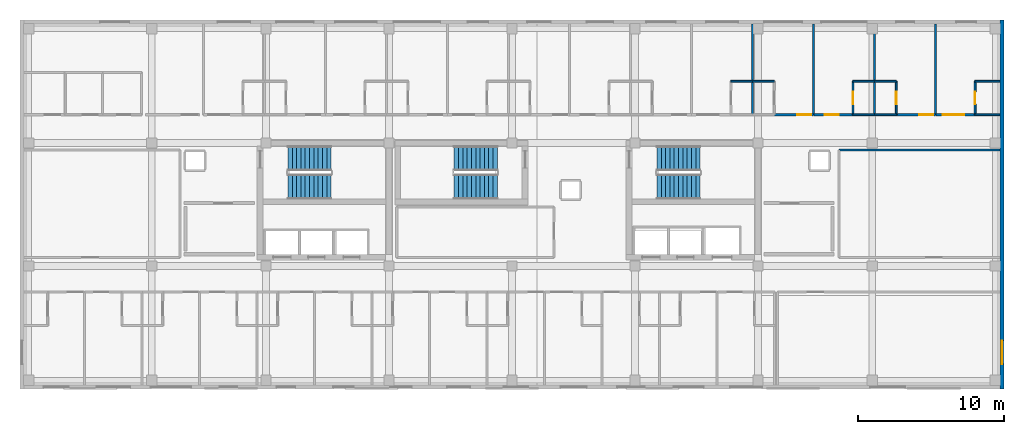
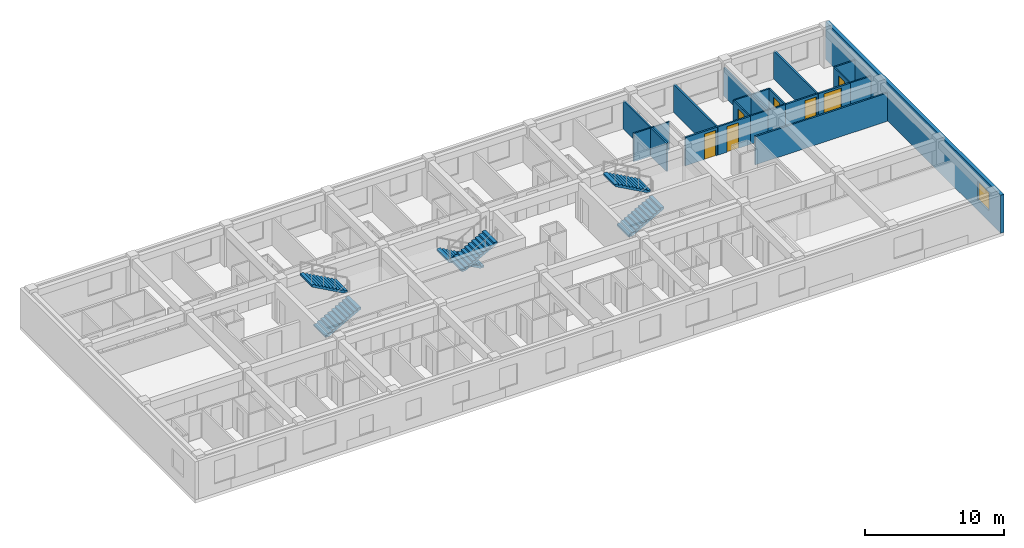
# One storey, part 8 of 10: 21 walls, 7 doors, 6 stair flights, 1 window, 8 openings, 3 elements without a shape of their own.
"""IFC4 building model written with IfcOpenShell, lengths in metres."""

from ifc_helpers import new_model, si_unit, direction, frame, frame_2d, origin, place, context, subcontext, project, spatial, polyline, rectangle, outline, extrude, material, layer, layer_set, type_object, element, fill, aggregate, save


model = new_model("IFC4")

# Units and contexts
model_context = context("Model", 3, precision=1e-05, world=origin(), true_north=direction((0.0, 1.0)))
body_context = subcontext(model_context, "Body", "Model", "MODEL_VIEW")
ifc_project = project(units=[si_unit("LENGTHUNIT", "METRE"), si_unit("AREAUNIT", "SQUARE_METRE"), si_unit("VOLUMEUNIT", "CUBIC_METRE"), si_unit("PLANEANGLEUNIT", "RADIAN"), si_unit("MASSUNIT", "GRAM", prefix="KILO")], contexts=[model_context])

# Site, building, storey
site_placement = place(None, origin())
site = spatial("IfcSite", under=ifc_project, at=site_placement, CompositionType="ELEMENT")
building_placement = place(site_placement, origin())
building = spatial("IfcBuilding", under=site, at=building_placement, Name="Zayran Congress Hotel", CompositionType="ELEMENT")
storey_placement = place(building_placement, frame((0.0, 0.0, 30.0)))
storey = spatial("IfcBuildingStorey", under=building, at=storey_placement, Name="L07", CompositionType="ELEMENT", Elevation=30.0)

# Wall, opening, window
ifc_material_1 = material(Name="Hajar Ma'ani limestone cavity wall and concrete C32/40", Category="masonry")
ifc_layer_1 = layer(ifc_material_1, 0.280029296875)
ifc_layer_set_1 = layer_set([ifc_layer_1], Name="Hajar Ma'ani limestone cavity wall and concrete C32/40")
wall_type_1 = type_object("IfcWallType", Name="WL-EX-280", PredefinedType="SOLIDWALL", material=ifc_layer_set_1)
wall_1_placement = place(storey_placement, frame((75.4599609375, 34.0, 0.0), z_axis=(0.0, 0.0, 1.0), x_axis=(0.0, -1.0, 0.0)))
wall_1 = element("IfcWall", 1, at=wall_1_placement, inside=storey, type_object=wall_type_1, Name="EW-V5-E-L07", PredefinedType="SOLIDWALL", context=body_context, shape_type="SweptSolid", body=[
    extrude(rectangle(XDim=25.199951171875, YDim=0.280029296875, at=frame_2d((12.60009765625, 0.0))), origin(), (0.0, 0.0, 1.0), 3.340087890625),
])
opening_1_placement = place(wall_1_placement, frame((21.89990234375, 0.0, 0.949951171875)))
opening_1 = element("IfcOpeningElement", 2, at=opening_1_placement, cuts=wall_1, Name="Opening WN-15", PredefinedType="OPENING", context=body_context, shape_type="SweptSolid", body=[
    extrude(rectangle(XDim=1.60009765625, YDim=1.60009765625, at=frame_2d((0.800048828125, 0.800048828125))), frame((0.0, 0.14990234375, 0.0), z_axis=(0.0, -1.0, 0.0), x_axis=(1.0, 0.0, 0.0)), (0.0, 0.0, 1.0), 0.300048828125),
])
ifc_material_2 = material(Name="Anodised aluminium and low-E insulated glass", Category="aluminium")
window_type = type_object("IfcWindowType", Name="TP-WN-15", PartitioningType="SINGLE_PANEL", PredefinedType="WINDOW", material=ifc_material_2)
window_placement = place(opening_1_placement, origin())
window = element("IfcWindow", 3, at=window_placement, inside=storey, type_object=window_type, Name="WIN-V5E-L07", OverallHeight=1.60009765625, OverallWidth=1.60009765625, PartitioningType="SINGLE_PANEL", PredefinedType="WINDOW", context=body_context, shape_type="SweptSolid", body=[
    extrude(rectangle(XDim=1.60009765625, YDim=1.60009765625, at=frame_2d((0.800048828125, 0.800048828125))), frame((0.0, 0.030029296875, 0.0), z_axis=(0.0, -1.0, 0.0), x_axis=(1.0, 0.0, 0.0)), (0.0, 0.0, 1.0), 0.06005859375),
])
fill(opening_1, window)

# Wall, opening, door
ifc_material_3 = material(Name="Hospitality guestroom acoustic partition", Category="gypsum")
ifc_layer_2 = layer(ifc_material_3, 0.139892578125)
ifc_layer_set_2 = layer_set([ifc_layer_2], Name="Hospitality guestroom acoustic partition")
wall_type_2 = type_object("IfcWallType", Name="WL-PT-140", PredefinedType="PARTITIONING", material=ifc_layer_set_2)
wall_2_placement = place(storey_placement, frame((59.904052734375, 27.530029296875, 0.0), z_axis=(0.0, 0.0, 1.0), x_axis=(1.0, 0.0, 0.0)))
wall_2 = element("IfcWall", 4, at=wall_2_placement, inside=storey, type_object=wall_type_2, Name="IW-L07-0750", PredefinedType="PARTITIONING", context=body_context, shape_type="SweptSolid", body=[
    extrude(rectangle(XDim=2.68505859375, YDim=0.139892578125, at=frame_2d((1.342529296875, 0.0))), origin(), (0.0, 0.0, 1.0), 2.47998046875),
])
opening_2_placement = place(wall_2_placement, frame((1.5849609375, 0.0, 0.0)))
opening_2 = element("IfcOpeningElement", 5, at=opening_2_placement, cuts=wall_2, Name="Opening DR-GR-03", PredefinedType="OPENING", context=body_context, shape_type="SweptSolid", body=[
    extrude(rectangle(XDim=0.9599609375, YDim=2.25, at=frame_2d((0.47998046875, 1.125))), frame((0.0, 0.079833984375, 0.0), z_axis=(0.0, -1.0, 0.0), x_axis=(1.0, 0.0, 0.0)), (0.0, 0.0, 1.0), 0.159912109375),
])
ifc_material_4 = material(Name="Executive walnut veneer entry door", Category="wood")
door_type_1 = type_object("IfcDoorType", Name="TP-DR-GR-03", OperationType="NOTDEFINED", PredefinedType="DOOR", material=ifc_material_4)
door_1_placement = place(opening_2_placement, origin())
door_1 = element("IfcDoor", 6, at=door_1_placement, inside=storey, type_object=door_type_1, Name="Guest Room L07-23 Door", OperationType="SINGLE_SWING_LEFT", OverallHeight=2.25, OverallWidth=0.9599609375, PredefinedType="DOOR", context=body_context, shape_type="SweptSolid", body=[
    extrude(rectangle(XDim=0.9599609375, YDim=2.25, at=frame_2d((0.47998046875, 1.125))), frame((0.0, 0.02490234375, 0.0), z_axis=(0.0, -1.0, 0.0), x_axis=(1.0, 0.0, 0.0)), (0.0, 0.0, 1.0), 0.050048828125),
])
fill(opening_2, door_1)

wall_3_placement = place(storey_placement, frame((62.60888671875, 27.530029296875, 0.0), z_axis=(0.0, 0.0, 1.0), x_axis=(1.0, 0.0, 0.0)))
wall_3 = element("IfcWall", 7, at=wall_3_placement, inside=storey, type_object=wall_type_2, Name="IW-L07-0751", PredefinedType="PARTITIONING", context=body_context, shape_type="SweptSolid", body=[
    extrude(rectangle(XDim=2.68505859375, YDim=0.139892578125, at=frame_2d((1.342529296875, 0.0))), origin(), (0.0, 0.0, 1.0), 2.47998046875),
])
opening_3_placement = place(wall_3_placement, frame((0.759033203125, 0.0, 0.0)))
opening_3 = element("IfcOpeningElement", 8, at=opening_3_placement, cuts=wall_3, Name="Opening DR-GR-03", PredefinedType="OPENING", context=body_context, shape_type="SweptSolid", body=[
    extrude(rectangle(XDim=0.9599609375, YDim=2.25, at=frame_2d((0.47998046875, 1.125))), frame((0.0, 0.079833984375, 0.0), z_axis=(0.0, -1.0, 0.0), x_axis=(1.0, 0.0, 0.0)), (0.0, 0.0, 1.0), 0.159912109375),
])
door_2_placement = place(opening_3_placement, origin())
door_2 = element("IfcDoor", 9, at=door_2_placement, inside=storey, type_object=door_type_1, Name="Guest Room L07-24 Door", OperationType="SINGLE_SWING_RIGHT", OverallHeight=2.25, OverallWidth=0.9599609375, PredefinedType="DOOR", context=body_context, shape_type="SweptSolid", body=[
    extrude(rectangle(XDim=0.9599609375, YDim=2.25, at=frame_2d((0.47998046875, 1.125))), frame((0.0, 0.02490234375, 0.0), z_axis=(0.0, -1.0, 0.0), x_axis=(1.0, 0.0, 0.0)), (0.0, 0.0, 1.0), 0.050048828125),
])
fill(opening_3, door_2)

wall_4_placement = place(storey_placement, frame((68.238037109375, 27.530029296875, 0.0), z_axis=(0.0, 0.0, 1.0), x_axis=(1.0, 0.0, 0.0)))
wall_4 = element("IfcWall", 10, at=wall_4_placement, inside=storey, type_object=wall_type_2, Name="IW-L07-0752", PredefinedType="PARTITIONING", context=body_context, shape_type="SweptSolid", body=[
    extrude(rectangle(XDim=2.68505859375, YDim=0.139892578125, at=frame_2d((1.342529296875, 0.0))), origin(), (0.0, 0.0, 1.0), 2.47998046875),
])
opening_4_placement = place(wall_4_placement, frame((1.5849609375, 0.0, 0.0)))
opening_4 = element("IfcOpeningElement", 11, at=opening_4_placement, cuts=wall_4, Name="Opening DR-GR-03", PredefinedType="OPENING", context=body_context, shape_type="SweptSolid", body=[
    extrude(rectangle(XDim=0.9599609375, YDim=2.25, at=frame_2d((0.47998046875, 1.125))), frame((0.0, 0.079833984375, 0.0), z_axis=(0.0, -1.0, 0.0), x_axis=(1.0, 0.0, 0.0)), (0.0, 0.0, 1.0), 0.159912109375),
])
door_3_placement = place(opening_4_placement, origin())
door_3 = element("IfcDoor", 12, at=door_3_placement, inside=storey, type_object=door_type_1, Name="Guest Room L07-25 Door", OperationType="SINGLE_SWING_LEFT", OverallHeight=2.25, OverallWidth=0.9599609375, PredefinedType="DOOR", context=body_context, shape_type="SweptSolid", body=[
    extrude(rectangle(XDim=0.9599609375, YDim=2.25, at=frame_2d((0.47998046875, 1.125))), frame((0.0, 0.02490234375, 0.0), z_axis=(0.0, -1.0, 0.0), x_axis=(1.0, 0.0, 0.0)), (0.0, 0.0, 1.0), 0.050048828125),
])
fill(opening_4, door_3)

wall_5_placement = place(storey_placement, frame((70.943115234375, 27.530029296875, 0.0), z_axis=(0.0, 0.0, 1.0), x_axis=(1.0, 0.0, 0.0)))
wall_5 = element("IfcWall", 13, at=wall_5_placement, inside=storey, type_object=wall_type_2, Name="IW-L07-0753", PredefinedType="PARTITIONING", context=body_context, shape_type="SweptSolid", body=[
    extrude(rectangle(XDim=2.684814453125, YDim=0.139892578125, at=frame_2d((1.34228515625, 0.0))), origin(), (0.0, 0.0, 1.0), 2.47998046875),
])
opening_5_placement = place(wall_5_placement, frame((0.48095703125, 0.0, 0.0)))
opening_5 = element("IfcOpeningElement", 14, at=opening_5_placement, cuts=wall_5, Name="Opening DR-ST-01", PredefinedType="OPENING", context=body_context, shape_type="SweptSolid", body=[
    extrude(rectangle(XDim=1.449951171875, YDim=2.300048828125, at=frame_2d((0.72509765625, 1.14990234375))), frame((0.0, 0.079833984375, 0.0), z_axis=(0.0, -1.0, 0.0), x_axis=(1.0, 0.0, 0.0)), (0.0, 0.0, 1.0), 0.159912109375),
])
ifc_material_5 = material(Name="Double walnut veneer suite entry door", Category="wood")
door_type_2 = type_object("IfcDoorType", Name="TP-DR-ST-01", OperationType="DOUBLE_DOOR_SINGLE_SWING", PredefinedType="DOOR", material=ifc_material_5)
door_4_placement = place(opening_5_placement, origin())
door_4 = element("IfcDoor", 15, at=door_4_placement, inside=storey, type_object=door_type_2, Name="Executive Suite L07-26 Door", OperationType="DOUBLE_DOOR_SINGLE_SWING", OverallHeight=2.300048828125, OverallWidth=1.449951171875, PredefinedType="DOOR", context=body_context, shape_type="SweptSolid", body=[
    extrude(rectangle(XDim=1.449951171875, YDim=2.300048828125, at=frame_2d((0.72509765625, 1.14990234375))), frame((0.0, 0.02490234375, 0.0), z_axis=(0.0, -1.0, 0.0), x_axis=(1.0, 0.0, 0.0)), (0.0, 0.0, 1.0), 0.050048828125),
])
fill(opening_5, door_4)

# Walls
wall_6_placement = place(storey_placement, frame((64.320068359375, 25.1201171875, 0.0), z_axis=(0.0, 0.0, 1.0), x_axis=(1.0, 0.0, 0.0)))
element("IfcWall", 16, at=wall_6_placement, inside=storey, type_object=wall_type_2, Name="IW-L07-2056", PredefinedType="PARTITIONING", context=body_context, shape_type="SweptSolid", body=[
    extrude(rectangle(XDim=11.0, YDim=0.139892578125, at=frame_2d((5.5, 0.0))), origin(), (0.0, 0.0, 1.0), 2.47998046875),
])
for number, where, z_axis, x_axis, name in (
    (17, (58.422119140625, 27.52001953125, 0.0), (0.0, 0.0, 1.0), (0.0, 1.0, 0.0), "IW-L07-2082"),
    (18, (62.589111328125, 27.52001953125, 0.0), (0.0, 0.0, 1.0), (0.0, 1.0, 0.0), "IW-L07-2083"),
    (19, (66.756103515625, 27.52001953125, 0.0), (0.0, 0.0, 1.0), (0.0, 1.0, 0.0), "IW-L07-2084"),
    (20, (70.923095703125, 27.52001953125, 0.0), (0.0, 0.0, 1.0), (0.0, 1.0, 0.0), "IW-L07-2085"),
):
    element("IfcWall", number, at=place(storey_placement, frame(where, z_axis=z_axis, x_axis=x_axis)), inside=storey, type_object=wall_type_2, Name=name, PredefinedType="PARTITIONING", context=body_context, shape_type="SweptSolid", body=[
        extrude(rectangle(XDim=6.199951171875, YDim=0.139892578125, at=frame_2d((3.10009765625, 0.0))), origin(), (0.0, 0.0, 1.0), 2.47998046875),
    ])

# Wall, opening, door
ifc_material_6 = material(Name="Moisture-resistant bathroom partition", Category="gypsum")
ifc_layer_3 = layer(ifc_material_6, 0.1201171875)
ifc_layer_set_3 = layer_set([ifc_layer_3], Name="Moisture-resistant bathroom partition")
wall_type_3 = type_object("IfcWallType", Name="WL-PT-120", PredefinedType="PARTITIONING", material=ifc_layer_set_3)
wall_7_placement = place(storey_placement, frame((65.2939453125, 27.52001953125, 0.0), z_axis=(0.0, 0.0, 1.0), x_axis=(0.0, 1.0, 0.0)))
wall_7 = element("IfcWall", 21, at=wall_7_placement, inside=storey, type_object=wall_type_3, Name="IW-L07-0242", PredefinedType="PARTITIONING", context=body_context, shape_type="SweptSolid", body=[
    extrude(rectangle(XDim=2.31005859375, YDim=0.1201171875, at=frame_2d((1.155029296875, 0.0))), origin(), (0.0, 0.0, 1.0), 2.47998046875),
])
opening_6_placement = place(wall_7_placement, frame((0.715087890625, 0.0, 0.0)))
opening_6 = element("IfcOpeningElement", 22, at=opening_6_placement, cuts=wall_7, Name="Opening DR-BT-01", PredefinedType="OPENING", context=body_context, shape_type="SweptSolid", body=[
    extrude(rectangle(XDim=0.8798828125, YDim=2.14990234375, at=frame_2d((0.43994140625, 1.074951171875))), frame((0.0, 0.070068359375, 0.0), z_axis=(0.0, -1.0, 0.0), x_axis=(1.0, 0.0, 0.0)), (0.0, 0.0, 1.0), 0.14013671875),
])
ifc_material_7 = material(Name="Moisture-resistant oak en-suite door", Category="wood")
door_type_3 = type_object("IfcDoorType", Name="TP-DR-BT-01", OperationType="NOTDEFINED", PredefinedType="DOOR", material=ifc_material_7)
door_5_placement = place(opening_6_placement, origin())
door_5 = element("IfcDoor", 23, at=door_5_placement, inside=storey, type_object=door_type_3, Name="En-Suite Bathroom L07-24 Door", OperationType="SINGLE_SWING_LEFT", OverallHeight=2.14990234375, OverallWidth=0.8798828125, PredefinedType="DOOR", context=body_context, shape_type="SweptSolid", body=[
    extrude(rectangle(XDim=0.8798828125, YDim=2.14990234375, at=frame_2d((0.43994140625, 1.074951171875))), frame((0.0, 0.02490234375, 0.0), z_axis=(0.0, -1.0, 0.0), x_axis=(1.0, 0.0, 0.0)), (0.0, 0.0, 1.0), 0.050048828125),
])
fill(opening_6, door_5)

wall_8_placement = place(storey_placement, frame((68.238037109375, 27.52001953125, 0.0), z_axis=(0.0, 0.0, 1.0), x_axis=(0.0, 1.0, 0.0)))
wall_8 = element("IfcWall", 24, at=wall_8_placement, inside=storey, type_object=wall_type_3, Name="IW-L07-0243", PredefinedType="PARTITIONING", context=body_context, shape_type="SweptSolid", body=[
    extrude(rectangle(XDim=2.31005859375, YDim=0.1201171875, at=frame_2d((1.155029296875, 0.0))), origin(), (0.0, 0.0, 1.0), 2.47998046875),
])
opening_7_placement = place(wall_8_placement, frame((0.715087890625, 0.0, 0.0)))
opening_7 = element("IfcOpeningElement", 25, at=opening_7_placement, cuts=wall_8, Name="Opening DR-BT-01", PredefinedType="OPENING", context=body_context, shape_type="SweptSolid", body=[
    extrude(rectangle(XDim=0.8798828125, YDim=2.14990234375, at=frame_2d((0.43994140625, 1.074951171875))), frame((0.0, 0.070068359375, 0.0), z_axis=(0.0, -1.0, 0.0), x_axis=(1.0, 0.0, 0.0)), (0.0, 0.0, 1.0), 0.14013671875),
])
door_6_placement = place(opening_7_placement, origin())
door_6 = element("IfcDoor", 26, at=door_6_placement, inside=storey, type_object=door_type_3, Name="En-Suite Bathroom L07-25 Door", OperationType="SINGLE_SWING_RIGHT", OverallHeight=2.14990234375, OverallWidth=0.8798828125, PredefinedType="DOOR", context=body_context, shape_type="SweptSolid", body=[
    extrude(rectangle(XDim=0.8798828125, YDim=2.14990234375, at=frame_2d((0.43994140625, 1.074951171875))), frame((0.0, 0.02490234375, 0.0), z_axis=(0.0, -1.0, 0.0), x_axis=(1.0, 0.0, 0.0)), (0.0, 0.0, 1.0), 0.050048828125),
])
fill(opening_7, door_6)

wall_9_placement = place(storey_placement, frame((73.6279296875, 27.52001953125, 0.0), z_axis=(0.0, 0.0, 1.0), x_axis=(0.0, 1.0, 0.0)))
wall_9 = element("IfcWall", 27, at=wall_9_placement, inside=storey, type_object=wall_type_3, Name="IW-L07-0244", PredefinedType="PARTITIONING", context=body_context, shape_type="SweptSolid", body=[
    extrude(rectangle(XDim=2.31005859375, YDim=0.1201171875, at=frame_2d((1.155029296875, 0.0))), origin(), (0.0, 0.0, 1.0), 2.47998046875),
])
opening_8_placement = place(wall_9_placement, frame((0.715087890625, 0.0, 0.0)))
opening_8 = element("IfcOpeningElement", 28, at=opening_8_placement, cuts=wall_9, Name="Opening DR-BT-01", PredefinedType="OPENING", context=body_context, shape_type="SweptSolid", body=[
    extrude(rectangle(XDim=0.8798828125, YDim=2.14990234375, at=frame_2d((0.43994140625, 1.074951171875))), frame((0.0, 0.070068359375, 0.0), z_axis=(0.0, -1.0, 0.0), x_axis=(1.0, 0.0, 0.0)), (0.0, 0.0, 1.0), 0.14013671875),
])
door_7_placement = place(opening_8_placement, origin())
door_7 = element("IfcDoor", 29, at=door_7_placement, inside=storey, type_object=door_type_3, Name="En-Suite Bathroom L07-26 Door", OperationType="SINGLE_SWING_LEFT", OverallHeight=2.14990234375, OverallWidth=0.8798828125, PredefinedType="DOOR", context=body_context, shape_type="SweptSolid", body=[
    extrude(rectangle(XDim=0.8798828125, YDim=2.14990234375, at=frame_2d((0.43994140625, 1.074951171875))), frame((0.0, 0.02490234375, 0.0), z_axis=(0.0, -1.0, 0.0), x_axis=(1.0, 0.0, 0.0)), (0.0, 0.0, 1.0), 0.050048828125),
])
fill(opening_8, door_7)

# Walls
wall_10_placement = place(storey_placement, frame((56.949951171875, 29.820068359375, 0.0), z_axis=(0.0, 0.0, 1.0), x_axis=(1.0, 0.0, 0.0)))
element("IfcWall", 30, at=wall_10_placement, inside=storey, type_object=wall_type_3, Name="IW-L07-1348", PredefinedType="PARTITIONING", context=body_context, shape_type="SweptSolid", body=[
    extrude(rectangle(XDim=1.48193359375, YDim=0.1201171875, at=frame_2d((0.740966796875, 0.0))), origin(), (0.0, 0.0, 1.0), 2.47998046875),
])
for number, where, z_axis, x_axis, name in (
    (31, (58.431884765625, 29.820068359375, 0.0), (0.0, 0.0, 1.0), (1.0, 0.0, 0.0), "IW-L07-1350"),
    (32, (65.283935546875, 27.530029296875, 0.0), (0.0, 0.0, 1.0), (1.0, 0.0, 0.0), "IW-L07-1351"),
    (33, (65.283935546875, 29.820068359375, 0.0), (0.0, 0.0, 1.0), (1.0, 0.0, 0.0), "IW-L07-1352"),
):
    element("IfcWall", number, at=place(storey_placement, frame(where, z_axis=z_axis, x_axis=x_axis)), inside=storey, type_object=wall_type_3, Name=name, PredefinedType="PARTITIONING", context=body_context, shape_type="SweptSolid", body=[
        extrude(rectangle(XDim=1.482177734375, YDim=0.1201171875, at=frame_2d((0.7412109375, 0.0))), origin(), (0.0, 0.0, 1.0), 2.47998046875),
    ])
for number, where, z_axis, x_axis, name in (
    (34, (66.76611328125, 27.530029296875, 0.0), (0.0, 0.0, 1.0), (1.0, 0.0, 0.0), "IW-L07-1353"),
    (35, (66.76611328125, 29.820068359375, 0.0), (0.0, 0.0, 1.0), (1.0, 0.0, 0.0), "IW-L07-1354"),
):
    element("IfcWall", number, at=place(storey_placement, frame(where, z_axis=z_axis, x_axis=x_axis)), inside=storey, type_object=wall_type_3, Name=name, PredefinedType="PARTITIONING", context=body_context, shape_type="SweptSolid", body=[
        extrude(rectangle(XDim=1.48193359375, YDim=0.1201171875, at=frame_2d((0.740966796875, 0.0))), origin(), (0.0, 0.0, 1.0), 2.47998046875),
    ])
for number, where, z_axis, x_axis, name in (
    (36, (73.617919921875, 27.530029296875, 0.0), (0.0, 0.0, 1.0), (1.0, 0.0, 0.0), "IW-L07-1355"),
    (37, (73.617919921875, 29.820068359375, 0.0), (0.0, 0.0, 1.0), (1.0, 0.0, 0.0), "IW-L07-1356"),
):
    element("IfcWall", number, at=place(storey_placement, frame(where, z_axis=z_axis, x_axis=x_axis)), inside=storey, type_object=wall_type_3, Name=name, PredefinedType="PARTITIONING", context=body_context, shape_type="SweptSolid", body=[
        extrude(rectangle(XDim=1.7021484375, YDim=0.1201171875, at=frame_2d((0.85107421875, 0.0))), origin(), (0.0, 0.0, 1.0), 2.47998046875),
    ])

# Stair, stair flights
ifc_material_8 = material(Name="Concrete C32/40", Category="concrete")
stair_type = type_object("IfcStairType", Name="TP-STR-1700-36", PredefinedType="USERDEFINED", material=ifc_material_8)
stair_1_placement = place(storey_placement, origin())
stair_1 = element("IfcStair", 38, at=stair_1_placement, inside=storey, type_object=stair_type, Name="L07 ST-01", ObjectType="TWO_RETURN_STAIR", PredefinedType="USERDEFINED")
stair_flight_type = type_object("IfcStairFlightType", Name="TP-STF-1700-36", PredefinedType="STRAIGHT", material=ifc_material_8)
stair_flight_1_placement = place(storey_placement, frame((26.699951171875, 22.610107421875, 0.0), z_axis=(0.0, 0.0, 1.0), x_axis=(1.0, 0.0, 0.0)))
stair_flight_1 = element("IfcStairFlight", 39, at=stair_flight_1_placement, type_object=stair_flight_type, Name="ST-01 flight 1", NumberOfRisers=11, NumberOfTreads=10, PredefinedType="STRAIGHT", RiserHeight=0.1636363636363637, TreadLength=0.295, context=body_context, shape_type="SweptSolid", body=[
    extrude(outline(polyline([(0.0, 0.0), (0.0, 0.16357421875), (0.294921875, 0.16357421875), (0.294921875, 0.327392578125), (0.590087890625, 0.327392578125), (0.590087890625, 0.490966796875), (0.885009765625, 0.490966796875), (0.885009765625, 0.654541015625), (1.179931640625, 0.654541015625), (1.179931640625, 0.818115234375), (1.47509765625, 0.818115234375), (1.47509765625, 0.98193359375), (1.77001953125, 0.98193359375), (1.77001953125, 1.1455078125), (2.06494140625, 1.1455078125), (2.06494140625, 1.30908203125), (2.360107421875, 1.30908203125), (2.360107421875, 1.47265625), (2.655029296875, 1.47265625), (2.655029296875, 1.636474609375), (2.949951171875, 1.636474609375), (2.949951171875, 1.800048828125), (2.949951171875, 1.46484375), (0.30908203125, 0.0), (0.0, 0.0)])), frame((0.0, 0.85009765625, 0.0), z_axis=(0.0, -1.0, 0.0), x_axis=(1.0, 0.0, 0.0)), (0.0, 0.0, 1.0), 1.699951171875),
])
stair_flight_2_placement = place(storey_placement, frame((29.64990234375, 24.550048828125, 1.800048828125), z_axis=(0.0, 0.0, 1.0), x_axis=(-1.0, 0.0, 0.0)))
stair_flight_2 = element("IfcStairFlight", 40, at=stair_flight_2_placement, type_object=stair_flight_type, Name="ST-01 flight 2", NumberOfRisers=11, NumberOfTreads=10, PredefinedType="STRAIGHT", RiserHeight=0.1636363636363637, TreadLength=0.295, context=body_context, shape_type="SweptSolid", body=[
    extrude(outline(polyline([(0.0, 0.0), (0.0, 0.16357421875), (0.294921875, 0.16357421875), (0.294921875, 0.327392578125), (0.590087890625, 0.327392578125), (0.590087890625, 0.490966796875), (0.885009765625, 0.490966796875), (0.885009765625, 0.654541015625), (1.179931640625, 0.654541015625), (1.179931640625, 0.818115234375), (1.47509765625, 0.818115234375), (1.47509765625, 0.98193359375), (1.77001953125, 0.98193359375), (1.77001953125, 1.1455078125), (2.06494140625, 1.1455078125), (2.06494140625, 1.30908203125), (2.360107421875, 1.30908203125), (2.360107421875, 1.47265625), (2.655029296875, 1.47265625), (2.655029296875, 1.636474609375), (2.949951171875, 1.636474609375), (2.949951171875, 1.800048828125), (2.949951171875, 1.46484375), (0.30908203125, 0.0), (0.0, 0.0)])), frame((0.0, 0.85009765625, 0.0), z_axis=(0.0, -1.0, 0.0), x_axis=(1.0, 0.0, 0.0)), (0.0, 0.0, 1.0), 1.699951171875),
])
aggregate(stair_1, [stair_flight_1, stair_flight_2])

stair_2_placement = place(storey_placement, origin())
stair_2 = element("IfcStair", 41, at=stair_2_placement, inside=storey, type_object=stair_type, Name="L07 ST-02", ObjectType="TWO_RETURN_STAIR", PredefinedType="USERDEFINED")
stair_flight_3_placement = place(storey_placement, frame((51.89990234375, 22.610107421875, 0.0), z_axis=(0.0, 0.0, 1.0), x_axis=(1.0, 0.0, 0.0)))
stair_flight_3 = element("IfcStairFlight", 42, at=stair_flight_3_placement, type_object=stair_flight_type, Name="ST-02 flight 1", NumberOfRisers=11, NumberOfTreads=10, PredefinedType="STRAIGHT", RiserHeight=0.1636363636363637, TreadLength=0.295, context=body_context, shape_type="SweptSolid", body=[
    extrude(outline(polyline([(0.0, 0.0), (0.0, 0.16357421875), (0.294921875, 0.16357421875), (0.294921875, 0.327392578125), (0.590087890625, 0.327392578125), (0.590087890625, 0.490966796875), (0.885009765625, 0.490966796875), (0.885009765625, 0.654541015625), (1.179931640625, 0.654541015625), (1.179931640625, 0.818115234375), (1.47509765625, 0.818115234375), (1.47509765625, 0.98193359375), (1.77001953125, 0.98193359375), (1.77001953125, 1.1455078125), (2.06494140625, 1.1455078125), (2.06494140625, 1.30908203125), (2.360107421875, 1.30908203125), (2.360107421875, 1.47265625), (2.655029296875, 1.47265625), (2.655029296875, 1.636474609375), (2.949951171875, 1.636474609375), (2.949951171875, 1.800048828125), (2.949951171875, 1.46484375), (0.30908203125, 0.0), (0.0, 0.0)])), frame((0.0, 0.85009765625, 0.0), z_axis=(0.0, -1.0, 0.0), x_axis=(1.0, 0.0, 0.0)), (0.0, 0.0, 1.0), 1.699951171875),
])
stair_flight_4_placement = place(storey_placement, frame((54.85009765625, 24.550048828125, 1.800048828125), z_axis=(0.0, 0.0, 1.0), x_axis=(-1.0, 0.0, 0.0)))
stair_flight_4 = element("IfcStairFlight", 43, at=stair_flight_4_placement, type_object=stair_flight_type, Name="ST-02 flight 2", NumberOfRisers=11, NumberOfTreads=10, PredefinedType="STRAIGHT", RiserHeight=0.1636363636363637, TreadLength=0.295, context=body_context, shape_type="SweptSolid", body=[
    extrude(outline(polyline([(0.0, 0.0), (0.0, 0.16357421875), (0.294921875, 0.16357421875), (0.294921875, 0.327392578125), (0.590087890625, 0.327392578125), (0.590087890625, 0.490966796875), (0.885009765625, 0.490966796875), (0.885009765625, 0.654541015625), (1.179931640625, 0.654541015625), (1.179931640625, 0.818115234375), (1.47509765625, 0.818115234375), (1.47509765625, 0.98193359375), (1.77001953125, 0.98193359375), (1.77001953125, 1.1455078125), (2.06494140625, 1.1455078125), (2.06494140625, 1.30908203125), (2.360107421875, 1.30908203125), (2.360107421875, 1.47265625), (2.655029296875, 1.47265625), (2.655029296875, 1.636474609375), (2.949951171875, 1.636474609375), (2.949951171875, 1.800048828125), (2.949951171875, 1.46484375), (0.30908203125, 0.0), (0.0, 0.0)])), frame((0.0, 0.85009765625, 0.0), z_axis=(0.0, -1.0, 0.0), x_axis=(1.0, 0.0, 0.0)), (0.0, 0.0, 1.0), 1.699951171875),
])
aggregate(stair_2, [stair_flight_3, stair_flight_4])

stair_3_placement = place(storey_placement, origin())
stair_3 = element("IfcStair", 44, at=stair_3_placement, inside=storey, type_object=stair_type, Name="L07 ST-13", ObjectType="TWO_RETURN_STAIR", PredefinedType="USERDEFINED")
stair_flight_5_placement = place(storey_placement, frame((41.0, 24.550048828125, 0.0), z_axis=(0.0, 0.0, 1.0), x_axis=(-1.0, 0.0, 0.0)))
stair_flight_5 = element("IfcStairFlight", 45, at=stair_flight_5_placement, type_object=stair_flight_type, Name="ST-13 flight 1", NumberOfRisers=11, NumberOfTreads=10, PredefinedType="STRAIGHT", RiserHeight=0.1636363636363637, TreadLength=0.295, context=body_context, shape_type="SweptSolid", body=[
    extrude(outline(polyline([(0.0, 0.0), (0.0, 0.16357421875), (0.294921875, 0.16357421875), (0.294921875, 0.327392578125), (0.590087890625, 0.327392578125), (0.590087890625, 0.490966796875), (0.885009765625, 0.490966796875), (0.885009765625, 0.654541015625), (1.179931640625, 0.654541015625), (1.179931640625, 0.818115234375), (1.47509765625, 0.818115234375), (1.47509765625, 0.98193359375), (1.77001953125, 0.98193359375), (1.77001953125, 1.1455078125), (2.06494140625, 1.1455078125), (2.06494140625, 1.30908203125), (2.360107421875, 1.30908203125), (2.360107421875, 1.47265625), (2.655029296875, 1.47265625), (2.655029296875, 1.636474609375), (2.949951171875, 1.636474609375), (2.949951171875, 1.800048828125), (2.949951171875, 1.46484375), (0.30908203125, 0.0), (0.0, 0.0)])), frame((0.0, 0.85009765625, 0.0), z_axis=(0.0, -1.0, 0.0), x_axis=(1.0, 0.0, 0.0)), (0.0, 0.0, 1.0), 1.699951171875),
])
stair_flight_6_placement = place(storey_placement, frame((38.050048828125, 22.610107421875, 1.800048828125), z_axis=(0.0, 0.0, 1.0), x_axis=(1.0, 0.0, 0.0)))
stair_flight_6 = element("IfcStairFlight", 46, at=stair_flight_6_placement, type_object=stair_flight_type, Name="ST-13 flight 2", NumberOfRisers=11, NumberOfTreads=10, PredefinedType="STRAIGHT", RiserHeight=0.1636363636363637, TreadLength=0.295, context=body_context, shape_type="SweptSolid", body=[
    extrude(outline(polyline([(0.0, 0.0), (0.0, 0.16357421875), (0.294921875, 0.16357421875), (0.294921875, 0.327392578125), (0.590087890625, 0.327392578125), (0.590087890625, 0.490966796875), (0.885009765625, 0.490966796875), (0.885009765625, 0.654541015625), (1.179931640625, 0.654541015625), (1.179931640625, 0.818115234375), (1.47509765625, 0.818115234375), (1.47509765625, 0.98193359375), (1.77001953125, 0.98193359375), (1.77001953125, 1.1455078125), (2.06494140625, 1.1455078125), (2.06494140625, 1.30908203125), (2.360107421875, 1.30908203125), (2.360107421875, 1.47265625), (2.655029296875, 1.47265625), (2.655029296875, 1.636474609375), (2.949951171875, 1.636474609375), (2.949951171875, 1.800048828125), (2.949951171875, 1.46484375), (0.30908203125, 0.0), (0.0, 0.0)])), frame((0.0, 0.85009765625, 0.0), z_axis=(0.0, -1.0, 0.0), x_axis=(1.0, 0.0, 0.0)), (0.0, 0.0, 1.0), 1.699951171875),
])
aggregate(stair_3, [stair_flight_5, stair_flight_6])

save(model, "model.ifc")
